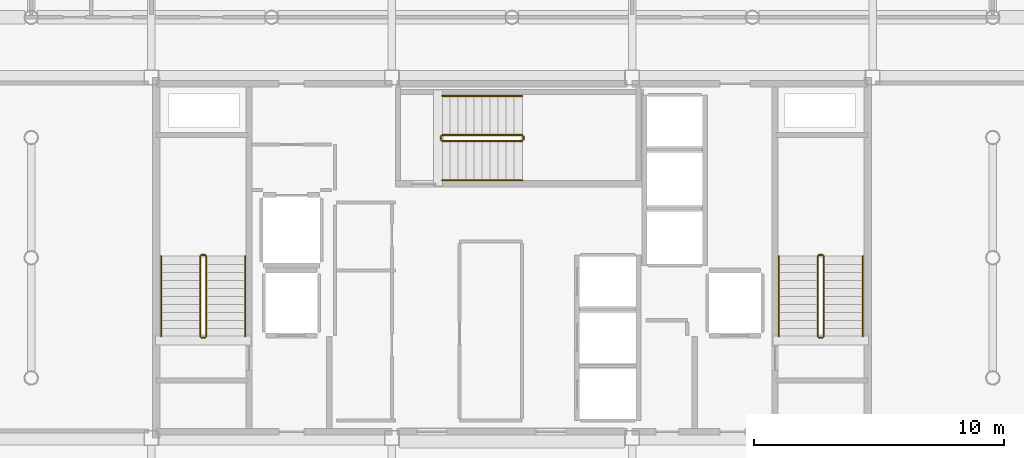
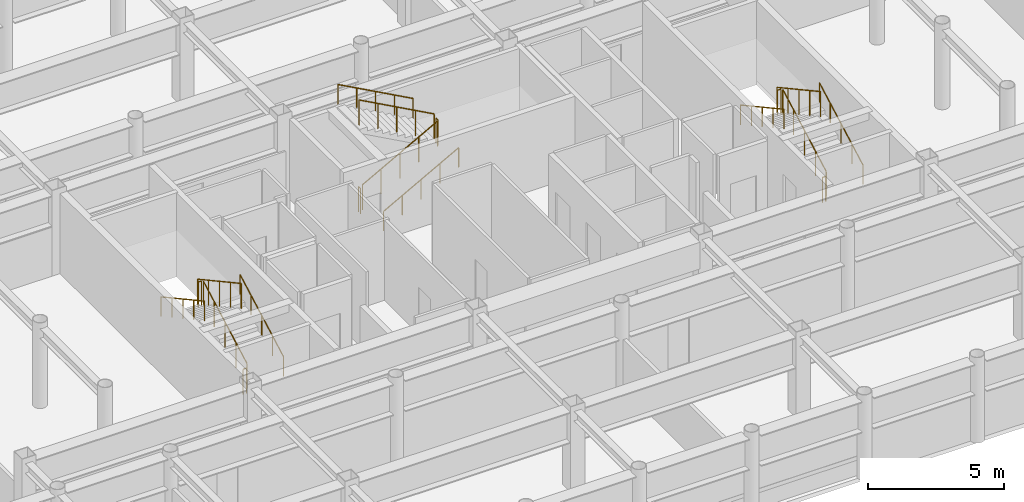
# One storey, part 21 of 21: 18 railings.
"""IFC4 building model written with IfcOpenShell, lengths in metres."""

from ifc_helpers import new_model, si_unit, direction, frame, origin, origin_2d, place, context, subcontext, project, spatial, circle, extrude, material, layer, layer_set, type_object, element, save


model = new_model("IFC4")

# Units and contexts
model_context = context("Model", 3, precision=1e-05, world=origin(), true_north=direction((0.0, 1.0)))
body_context = subcontext(model_context, "Body", "Model", "MODEL_VIEW")
ifc_project = project(units=[si_unit("LENGTHUNIT", "METRE"), si_unit("AREAUNIT", "SQUARE_METRE"), si_unit("VOLUMEUNIT", "CUBIC_METRE"), si_unit("PLANEANGLEUNIT", "RADIAN"), si_unit("MASSUNIT", "GRAM", prefix="KILO")], contexts=[model_context])

# Site, building, storey
site_placement = place(None, origin())
site = spatial("IfcSite", under=ifc_project, at=site_placement, CompositionType="ELEMENT")
building_placement = place(site_placement, origin())
building = spatial("IfcBuilding", under=site, at=building_placement, Name="Kallvorn Hotel Tower", CompositionType="ELEMENT")
storey_placement = place(building_placement, frame((0.0, 0.0, 272.35009765625)))
storey = spatial("IfcBuildingStorey", under=building, at=storey_placement, Name="L68", CompositionType="ELEMENT", Elevation=272.35009765625)

# Railings
ifc_material_1 = material(Name="Brushed stainless-steel tubular railing", Category="steel")
ifc_layer_1 = layer(ifc_material_1, 0.050048828125)
ifc_layer_set_1 = layer_set([ifc_layer_1], Name="RL_STAIR_GUARD")
railing_type_1 = type_object("IfcRailingType", Name="RL_STAIR_GUARD", PredefinedType="GUARDRAIL", material=ifc_layer_set_1)
railing_1_placement = place(storey_placement, frame((-12.2099609375, -3.139892578125, 0.1748046875)))
element("IfcRailing", 1, at=railing_1_placement, inside=storey, type_object=railing_type_1, Name="L68 ST1 stair guard 1", PredefinedType="GUARDRAIL", context=body_context, shape_type="SweptSolid", body=[
    extrude(circle(Radius=0.02392578125, at=origin_2d()), frame((0.0, 0.0, 1.1259765625), z_axis=(0.0, 0.877368057402, 0.479817977833), x_axis=(-1.0, 0.0, 0.0)), (0.0, 0.0, 1.0), 3.647216796875),
    extrude(circle(Radius=0.02099609375, at=origin_2d()), origin(), (0.0, 0.0, 1.0), 1.101806640625),
    extrude(circle(Radius=0.02099609375, at=origin_2d()), frame((0.0, 0.800048828125, 0.4375)), (0.0, 0.0, 1.0), 1.101806640625),
    extrude(circle(Radius=0.02099609375, at=origin_2d()), frame((0.0, 1.60009765625, 0.875)), (0.0, 0.0, 1.0), 1.101806640625),
    extrude(circle(Radius=0.02099609375, at=origin_2d()), frame((0.0, 2.39990234375, 1.3125)), (0.0, 0.0, 1.0), 1.101806640625),
    extrude(circle(Radius=0.02099609375, at=origin_2d()), frame((0.0, 3.199951171875, 1.75)), (0.0, 0.0, 1.0), 1.101806640625),
])
railing_2_placement = place(storey_placement, frame((-12.260009765625, 0.110107421875, 1.9248046875)))
element("IfcRailing", 2, at=railing_2_placement, inside=storey, type_object=railing_type_1, Name="L68 ST1 stair guard 2", PredefinedType="GUARDRAIL", context=body_context, shape_type="SweptSolid", body=[
    extrude(circle(Radius=0.02392578125, at=origin_2d()), frame((0.0, 0.0, 1.1259765625), z_axis=(-1.0, 0.0, 0.0), x_axis=(0.0, -1.0, 0.0)), (0.0, 0.0, 1.0), 0.139892578125),
    extrude(circle(Radius=0.02099609375, at=origin_2d()), origin(), (0.0, 0.0, 1.0), 1.101806640625),
    extrude(circle(Radius=0.02099609375, at=origin_2d()), frame((-0.139892578125, 0.0, 0.0)), (0.0, 0.0, 1.0), 1.101806640625),
])
railing_3_placement = place(storey_placement, frame((-12.449951171875, 0.06005859375, 2.099853515625)))
element("IfcRailing", 3, at=railing_3_placement, inside=storey, type_object=railing_type_1, Name="L68 ST1 stair guard 3", PredefinedType="GUARDRAIL", context=body_context, shape_type="SweptSolid", body=[
    extrude(circle(Radius=0.02392578125, at=origin_2d()), frame((0.0, 0.0, 1.1259765625), z_axis=(0.0, -0.877368057402, 0.479817977833), x_axis=(1.0, 0.0, 0.0)), (0.0, 0.0, 1.0), 3.647216796875),
    extrude(circle(Radius=0.02099609375, at=origin_2d()), origin(), (0.0, 0.0, 1.0), 1.101806640625),
    extrude(circle(Radius=0.02099609375, at=origin_2d()), frame((0.0, -0.800048828125, 0.4375)), (0.0, 0.0, 1.0), 1.101806640625),
    extrude(circle(Radius=0.02099609375, at=origin_2d()), frame((0.0, -1.60009765625, 0.875)), (0.0, 0.0, 1.0), 1.101806640625),
    extrude(circle(Radius=0.02099609375, at=origin_2d()), frame((0.0, -2.39990234375, 1.3125)), (0.0, 0.0, 1.0), 1.101806640625),
    extrude(circle(Radius=0.02099609375, at=origin_2d()), frame((0.0, -3.199951171875, 1.75)), (0.0, 0.0, 1.0), 1.101806640625),
])
railing_4_placement = place(storey_placement, frame((-12.260009765625, -3.18994140625, 0.0)))
element("IfcRailing", 4, at=railing_4_placement, inside=storey, type_object=railing_type_1, Name="L68 ST1 stair guard 4", PredefinedType="GUARDRAIL", context=body_context, shape_type="SweptSolid", body=[
    extrude(circle(Radius=0.02392578125, at=origin_2d()), frame((0.0, 0.0, 1.1259765625), z_axis=(-1.0, 0.0, 0.0), x_axis=(0.0, -1.0, 0.0)), (0.0, 0.0, 1.0), 0.139892578125),
    extrude(circle(Radius=0.02099609375, at=origin_2d()), origin(), (0.0, 0.0, 1.0), 1.101806640625),
    extrude(circle(Radius=0.02099609375, at=origin_2d()), frame((-0.139892578125, 0.0, 0.0)), (0.0, 0.0, 1.0), 1.101806640625),
])
railing_5_placement = place(storey_placement, frame((12.449951171875, -3.139892578125, 0.1748046875)))
element("IfcRailing", 5, at=railing_5_placement, inside=storey, type_object=railing_type_1, Name="L68 ST2 stair guard 1", PredefinedType="GUARDRAIL", context=body_context, shape_type="SweptSolid", body=[
    extrude(circle(Radius=0.02392578125, at=origin_2d()), frame((0.0, 0.0, 1.1259765625), z_axis=(0.0, 0.877368057402, 0.479817977833), x_axis=(-1.0, 0.0, 0.0)), (0.0, 0.0, 1.0), 3.647216796875),
    extrude(circle(Radius=0.02099609375, at=origin_2d()), origin(), (0.0, 0.0, 1.0), 1.101806640625),
    extrude(circle(Radius=0.02099609375, at=origin_2d()), frame((0.0, 0.800048828125, 0.4375)), (0.0, 0.0, 1.0), 1.101806640625),
    extrude(circle(Radius=0.02099609375, at=origin_2d()), frame((0.0, 1.60009765625, 0.875)), (0.0, 0.0, 1.0), 1.101806640625),
    extrude(circle(Radius=0.02099609375, at=origin_2d()), frame((0.0, 2.39990234375, 1.3125)), (0.0, 0.0, 1.0), 1.101806640625),
    extrude(circle(Radius=0.02099609375, at=origin_2d()), frame((0.0, 3.199951171875, 1.75)), (0.0, 0.0, 1.0), 1.101806640625),
])
railing_6_placement = place(storey_placement, frame((12.39990234375, 0.110107421875, 1.9248046875)))
element("IfcRailing", 6, at=railing_6_placement, inside=storey, type_object=railing_type_1, Name="L68 ST2 stair guard 2", PredefinedType="GUARDRAIL", context=body_context, shape_type="SweptSolid", body=[
    extrude(circle(Radius=0.02392578125, at=origin_2d()), frame((0.0, 0.0, 1.1259765625), z_axis=(-1.0, 0.0, 0.0), x_axis=(0.0, -1.0, 0.0)), (0.0, 0.0, 1.0), 0.139892578125),
    extrude(circle(Radius=0.02099609375, at=origin_2d()), origin(), (0.0, 0.0, 1.0), 1.101806640625),
    extrude(circle(Radius=0.02099609375, at=origin_2d()), frame((-0.139892578125, 0.0, 0.0)), (0.0, 0.0, 1.0), 1.101806640625),
])
railing_7_placement = place(storey_placement, frame((12.2099609375, 0.06005859375, 2.099853515625)))
element("IfcRailing", 7, at=railing_7_placement, inside=storey, type_object=railing_type_1, Name="L68 ST2 stair guard 3", PredefinedType="GUARDRAIL", context=body_context, shape_type="SweptSolid", body=[
    extrude(circle(Radius=0.02392578125, at=origin_2d()), frame((0.0, 0.0, 1.1259765625), z_axis=(0.0, -0.877368057402, 0.479817977833), x_axis=(1.0, 0.0, 0.0)), (0.0, 0.0, 1.0), 3.647216796875),
    extrude(circle(Radius=0.02099609375, at=origin_2d()), origin(), (0.0, 0.0, 1.0), 1.101806640625),
    extrude(circle(Radius=0.02099609375, at=origin_2d()), frame((0.0, -0.800048828125, 0.4375)), (0.0, 0.0, 1.0), 1.101806640625),
    extrude(circle(Radius=0.02099609375, at=origin_2d()), frame((0.0, -1.60009765625, 0.875)), (0.0, 0.0, 1.0), 1.101806640625),
    extrude(circle(Radius=0.02099609375, at=origin_2d()), frame((0.0, -2.39990234375, 1.3125)), (0.0, 0.0, 1.0), 1.101806640625),
    extrude(circle(Radius=0.02099609375, at=origin_2d()), frame((0.0, -3.199951171875, 1.75)), (0.0, 0.0, 1.0), 1.101806640625),
])
railing_8_placement = place(storey_placement, frame((12.39990234375, -3.18994140625, 0.0)))
element("IfcRailing", 8, at=railing_8_placement, inside=storey, type_object=railing_type_1, Name="L68 ST2 stair guard 4", PredefinedType="GUARDRAIL", context=body_context, shape_type="SweptSolid", body=[
    extrude(circle(Radius=0.02392578125, at=origin_2d()), frame((0.0, 0.0, 1.1259765625), z_axis=(-1.0, 0.0, 0.0), x_axis=(0.0, -1.0, 0.0)), (0.0, 0.0, 1.0), 0.139892578125),
    extrude(circle(Radius=0.02099609375, at=origin_2d()), origin(), (0.0, 0.0, 1.0), 1.101806640625),
    extrude(circle(Radius=0.02099609375, at=origin_2d()), frame((-0.139892578125, 0.0, 0.0)), (0.0, 0.0, 1.0), 1.101806640625),
])
railing_9_placement = place(storey_placement, frame((-2.7900390625, 4.659912109375, 0.1748046875)))
element("IfcRailing", 9, at=railing_9_placement, inside=storey, type_object=railing_type_1, Name="L68 ST3 stair guard 1", PredefinedType="GUARDRAIL", context=body_context, shape_type="SweptSolid", body=[
    extrude(circle(Radius=0.02392578125, at=origin_2d()), frame((0.0, 0.0, 1.1259765625), z_axis=(0.877368057402, 0.0, 0.479817977833), x_axis=(0.0, 1.0, 0.0)), (0.0, 0.0, 1.0), 3.647216796875),
    extrude(circle(Radius=0.02099609375, at=origin_2d()), origin(), (0.0, 0.0, 1.0), 1.101806640625),
    extrude(circle(Radius=0.02099609375, at=origin_2d()), frame((0.800048828125, 0.0, 0.4375)), (0.0, 0.0, 1.0), 1.101806640625),
    extrude(circle(Radius=0.02099609375, at=origin_2d()), frame((1.60009765625, 0.0, 0.875)), (0.0, 0.0, 1.0), 1.101806640625),
    extrude(circle(Radius=0.02099609375, at=origin_2d()), frame((2.39990234375, 0.0, 1.3125)), (0.0, 0.0, 1.0), 1.101806640625),
    extrude(circle(Radius=0.02099609375, at=origin_2d()), frame((3.199951171875, 0.0, 1.75)), (0.0, 0.0, 1.0), 1.101806640625),
])
railing_10_placement = place(storey_placement, frame((0.4599609375, 4.7099609375, 1.9248046875)))
element("IfcRailing", 10, at=railing_10_placement, inside=storey, type_object=railing_type_1, Name="L68 ST3 stair guard 2", PredefinedType="GUARDRAIL", context=body_context, shape_type="SweptSolid", body=[
    extrude(circle(Radius=0.02392578125, at=origin_2d()), frame((0.0, 0.0, 1.1259765625), z_axis=(0.0, 1.0, 0.0), x_axis=(-1.0, 0.0, 0.0)), (0.0, 0.0, 1.0), 0.14013671875),
    extrude(circle(Radius=0.02099609375, at=origin_2d()), origin(), (0.0, 0.0, 1.0), 1.101806640625),
    extrude(circle(Radius=0.02099609375, at=origin_2d()), frame((0.0, 0.14013671875, 0.0)), (0.0, 0.0, 1.0), 1.101806640625),
])
railing_11_placement = place(storey_placement, frame((0.409912109375, 4.89990234375, 2.099853515625)))
element("IfcRailing", 11, at=railing_11_placement, inside=storey, type_object=railing_type_1, Name="L68 ST3 stair guard 3", PredefinedType="GUARDRAIL", context=body_context, shape_type="SweptSolid", body=[
    extrude(circle(Radius=0.02392578125, at=origin_2d()), frame((0.0, 0.0, 1.1259765625), z_axis=(-0.877368057402, 0.0, 0.479817977833), x_axis=(0.0, -1.0, 0.0)), (0.0, 0.0, 1.0), 3.647216796875),
    extrude(circle(Radius=0.02099609375, at=origin_2d()), origin(), (0.0, 0.0, 1.0), 1.101806640625),
    extrude(circle(Radius=0.02099609375, at=origin_2d()), frame((-0.800048828125, 0.0, 0.4375)), (0.0, 0.0, 1.0), 1.101806640625),
    extrude(circle(Radius=0.02099609375, at=origin_2d()), frame((-1.60009765625, 0.0, 0.875)), (0.0, 0.0, 1.0), 1.101806640625),
    extrude(circle(Radius=0.02099609375, at=origin_2d()), frame((-2.39990234375, 0.0, 1.3125)), (0.0, 0.0, 1.0), 1.101806640625),
    extrude(circle(Radius=0.02099609375, at=origin_2d()), frame((-3.199951171875, 0.0, 1.75)), (0.0, 0.0, 1.0), 1.101806640625),
])
railing_12_placement = place(storey_placement, frame((-2.840087890625, 4.7099609375, 0.0)))
element("IfcRailing", 12, at=railing_12_placement, inside=storey, type_object=railing_type_1, Name="L68 ST3 stair guard 4", PredefinedType="GUARDRAIL", context=body_context, shape_type="SweptSolid", body=[
    extrude(circle(Radius=0.02392578125, at=origin_2d()), frame((0.0, 0.0, 1.1259765625), z_axis=(0.0, 1.0, 0.0), x_axis=(-1.0, 0.0, 0.0)), (0.0, 0.0, 1.0), 0.14013671875),
    extrude(circle(Radius=0.02099609375, at=origin_2d()), origin(), (0.0, 0.0, 1.0), 1.101806640625),
    extrude(circle(Radius=0.02099609375, at=origin_2d()), frame((0.0, 0.14013671875, 0.0)), (0.0, 0.0, 1.0), 1.101806640625),
])
ifc_material_2 = material(Name="Brushed stainless-steel tubular railing", Category="steel")
ifc_layer_2 = layer(ifc_material_2, 0.050048828125)
ifc_layer_set_2 = layer_set([ifc_layer_2], Name="RL_STAIR_HAND")
railing_type_2 = type_object("IfcRailingType", Name="RL_STAIR_HAND", PredefinedType="HANDRAIL", material=ifc_layer_set_2)
railing_13_placement = place(storey_placement, frame((-10.64990234375, -3.139892578125, 0.1748046875)))
element("IfcRailing", 13, at=railing_13_placement, inside=storey, type_object=railing_type_2, Name="L68 ST1 stair handrail 1", PredefinedType="HANDRAIL", context=body_context, shape_type="SweptSolid", body=[
    extrude(circle(Radius=0.02392578125, at=origin_2d()), frame((0.0, 0.0, 0.8759765625), z_axis=(0.0, 0.877368057402, 0.479817977833), x_axis=(-1.0, 0.0, 0.0)), (0.0, 0.0, 1.0), 3.647216796875),
    extrude(circle(Radius=0.02099609375, at=origin_2d()), origin(), (0.0, 0.0, 1.0), 0.851806640625),
    extrude(circle(Radius=0.02099609375, at=origin_2d()), frame((0.0, 0.800048828125, 0.4375)), (0.0, 0.0, 1.0), 0.851806640625),
    extrude(circle(Radius=0.02099609375, at=origin_2d()), frame((0.0, 1.60009765625, 0.875)), (0.0, 0.0, 1.0), 0.851806640625),
    extrude(circle(Radius=0.02099609375, at=origin_2d()), frame((0.0, 2.39990234375, 1.3125)), (0.0, 0.0, 1.0), 0.851806640625),
    extrude(circle(Radius=0.02099609375, at=origin_2d()), frame((0.0, 3.199951171875, 1.75)), (0.0, 0.0, 1.0), 0.851806640625),
])
railing_14_placement = place(storey_placement, frame((-14.010009765625, 0.06005859375, 2.099853515625)))
element("IfcRailing", 14, at=railing_14_placement, inside=storey, type_object=railing_type_2, Name="L68 ST1 stair handrail 2", PredefinedType="HANDRAIL", context=body_context, shape_type="SweptSolid", body=[
    extrude(circle(Radius=0.02392578125, at=origin_2d()), frame((0.0, 0.0, 0.8759765625), z_axis=(0.0, -0.877368057402, 0.479817977833), x_axis=(1.0, 0.0, 0.0)), (0.0, 0.0, 1.0), 3.647216796875),
    extrude(circle(Radius=0.02099609375, at=origin_2d()), origin(), (0.0, 0.0, 1.0), 0.851806640625),
    extrude(circle(Radius=0.02099609375, at=origin_2d()), frame((0.0, -0.800048828125, 0.4375)), (0.0, 0.0, 1.0), 0.851806640625),
    extrude(circle(Radius=0.02099609375, at=origin_2d()), frame((0.0, -1.60009765625, 0.875)), (0.0, 0.0, 1.0), 0.851806640625),
    extrude(circle(Radius=0.02099609375, at=origin_2d()), frame((0.0, -2.39990234375, 1.3125)), (0.0, 0.0, 1.0), 0.851806640625),
    extrude(circle(Radius=0.02099609375, at=origin_2d()), frame((0.0, -3.199951171875, 1.75)), (0.0, 0.0, 1.0), 0.851806640625),
])
railing_15_placement = place(storey_placement, frame((14.010009765625, -3.139892578125, 0.1748046875)))
element("IfcRailing", 15, at=railing_15_placement, inside=storey, type_object=railing_type_2, Name="L68 ST2 stair handrail 1", PredefinedType="HANDRAIL", context=body_context, shape_type="SweptSolid", body=[
    extrude(circle(Radius=0.02392578125, at=origin_2d()), frame((0.0, 0.0, 0.8759765625), z_axis=(0.0, 0.877368057402, 0.479817977833), x_axis=(-1.0, 0.0, 0.0)), (0.0, 0.0, 1.0), 3.647216796875),
    extrude(circle(Radius=0.02099609375, at=origin_2d()), origin(), (0.0, 0.0, 1.0), 0.851806640625),
    extrude(circle(Radius=0.02099609375, at=origin_2d()), frame((0.0, 0.800048828125, 0.4375)), (0.0, 0.0, 1.0), 0.851806640625),
    extrude(circle(Radius=0.02099609375, at=origin_2d()), frame((0.0, 1.60009765625, 0.875)), (0.0, 0.0, 1.0), 0.851806640625),
    extrude(circle(Radius=0.02099609375, at=origin_2d()), frame((0.0, 2.39990234375, 1.3125)), (0.0, 0.0, 1.0), 0.851806640625),
    extrude(circle(Radius=0.02099609375, at=origin_2d()), frame((0.0, 3.199951171875, 1.75)), (0.0, 0.0, 1.0), 0.851806640625),
])
railing_16_placement = place(storey_placement, frame((10.64990234375, 0.06005859375, 2.099853515625)))
element("IfcRailing", 16, at=railing_16_placement, inside=storey, type_object=railing_type_2, Name="L68 ST2 stair handrail 2", PredefinedType="HANDRAIL", context=body_context, shape_type="SweptSolid", body=[
    extrude(circle(Radius=0.02392578125, at=origin_2d()), frame((0.0, 0.0, 0.8759765625), z_axis=(0.0, -0.877368057402, 0.479817977833), x_axis=(1.0, 0.0, 0.0)), (0.0, 0.0, 1.0), 3.647216796875),
    extrude(circle(Radius=0.02099609375, at=origin_2d()), origin(), (0.0, 0.0, 1.0), 0.851806640625),
    extrude(circle(Radius=0.02099609375, at=origin_2d()), frame((0.0, -0.800048828125, 0.4375)), (0.0, 0.0, 1.0), 0.851806640625),
    extrude(circle(Radius=0.02099609375, at=origin_2d()), frame((0.0, -1.60009765625, 0.875)), (0.0, 0.0, 1.0), 0.851806640625),
    extrude(circle(Radius=0.02099609375, at=origin_2d()), frame((0.0, -2.39990234375, 1.3125)), (0.0, 0.0, 1.0), 0.851806640625),
    extrude(circle(Radius=0.02099609375, at=origin_2d()), frame((0.0, -3.199951171875, 1.75)), (0.0, 0.0, 1.0), 0.851806640625),
])
railing_17_placement = place(storey_placement, frame((-2.7900390625, 3.10009765625, 0.1748046875)))
element("IfcRailing", 17, at=railing_17_placement, inside=storey, type_object=railing_type_2, Name="L68 ST3 stair handrail 1", PredefinedType="HANDRAIL", context=body_context, shape_type="SweptSolid", body=[
    extrude(circle(Radius=0.02392578125, at=origin_2d()), frame((0.0, 0.0, 0.8759765625), z_axis=(0.877368057402, 0.0, 0.479817977833), x_axis=(0.0, 1.0, 0.0)), (0.0, 0.0, 1.0), 3.647216796875),
    extrude(circle(Radius=0.02099609375, at=origin_2d()), origin(), (0.0, 0.0, 1.0), 0.851806640625),
    extrude(circle(Radius=0.02099609375, at=origin_2d()), frame((0.800048828125, 0.0, 0.4375)), (0.0, 0.0, 1.0), 0.851806640625),
    extrude(circle(Radius=0.02099609375, at=origin_2d()), frame((1.60009765625, 0.0, 0.875)), (0.0, 0.0, 1.0), 0.851806640625),
    extrude(circle(Radius=0.02099609375, at=origin_2d()), frame((2.39990234375, 0.0, 1.3125)), (0.0, 0.0, 1.0), 0.851806640625),
    extrude(circle(Radius=0.02099609375, at=origin_2d()), frame((3.199951171875, 0.0, 1.75)), (0.0, 0.0, 1.0), 0.851806640625),
])
railing_18_placement = place(storey_placement, frame((0.409912109375, 6.4599609375, 2.099853515625)))
element("IfcRailing", 18, at=railing_18_placement, inside=storey, type_object=railing_type_2, Name="L68 ST3 stair handrail 2", PredefinedType="HANDRAIL", context=body_context, shape_type="SweptSolid", body=[
    extrude(circle(Radius=0.02392578125, at=origin_2d()), frame((0.0, 0.0, 0.8759765625), z_axis=(-0.877368057402, 0.0, 0.479817977833), x_axis=(0.0, -1.0, 0.0)), (0.0, 0.0, 1.0), 3.647216796875),
    extrude(circle(Radius=0.02099609375, at=origin_2d()), origin(), (0.0, 0.0, 1.0), 0.851806640625),
    extrude(circle(Radius=0.02099609375, at=origin_2d()), frame((-0.800048828125, 0.0, 0.4375)), (0.0, 0.0, 1.0), 0.851806640625),
    extrude(circle(Radius=0.02099609375, at=origin_2d()), frame((-1.60009765625, 0.0, 0.875)), (0.0, 0.0, 1.0), 0.851806640625),
    extrude(circle(Radius=0.02099609375, at=origin_2d()), frame((-2.39990234375, 0.0, 1.3125)), (0.0, 0.0, 1.0), 0.851806640625),
    extrude(circle(Radius=0.02099609375, at=origin_2d()), frame((-3.199951171875, 0.0, 1.75)), (0.0, 0.0, 1.0), 0.851806640625),
])

save(model, "model.ifc")
